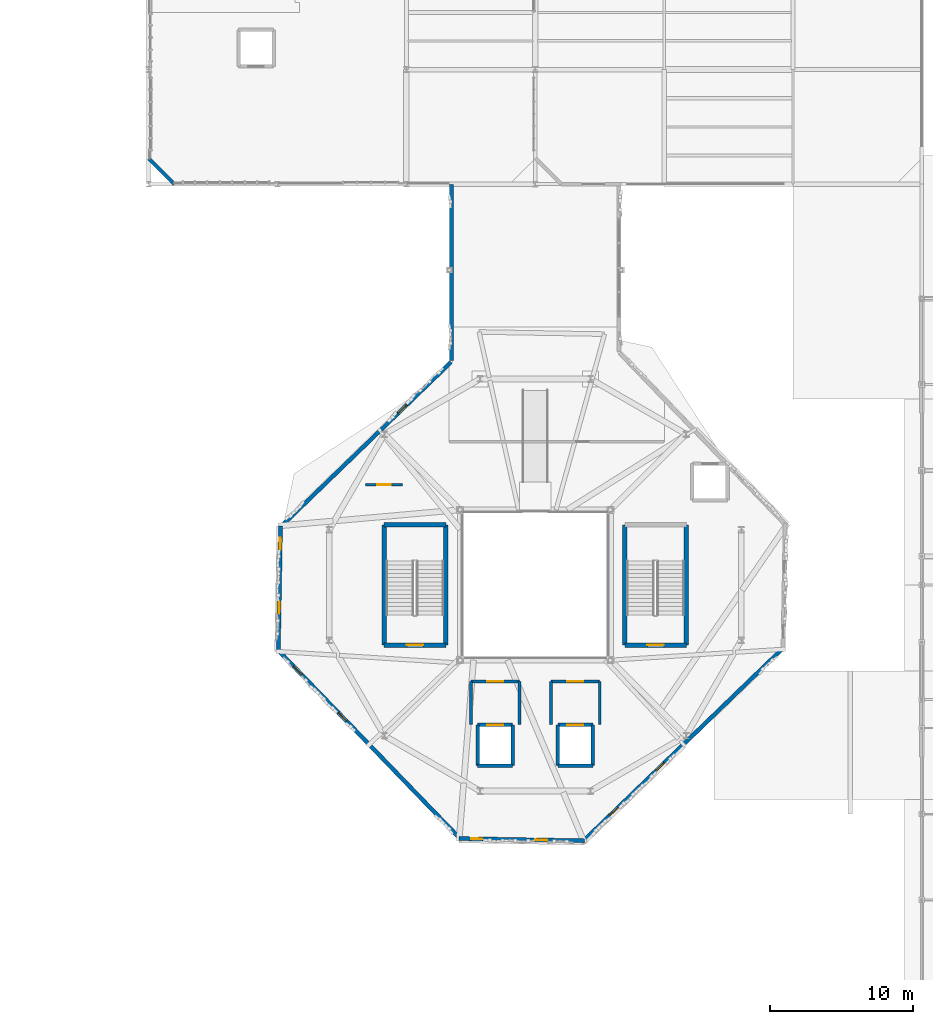
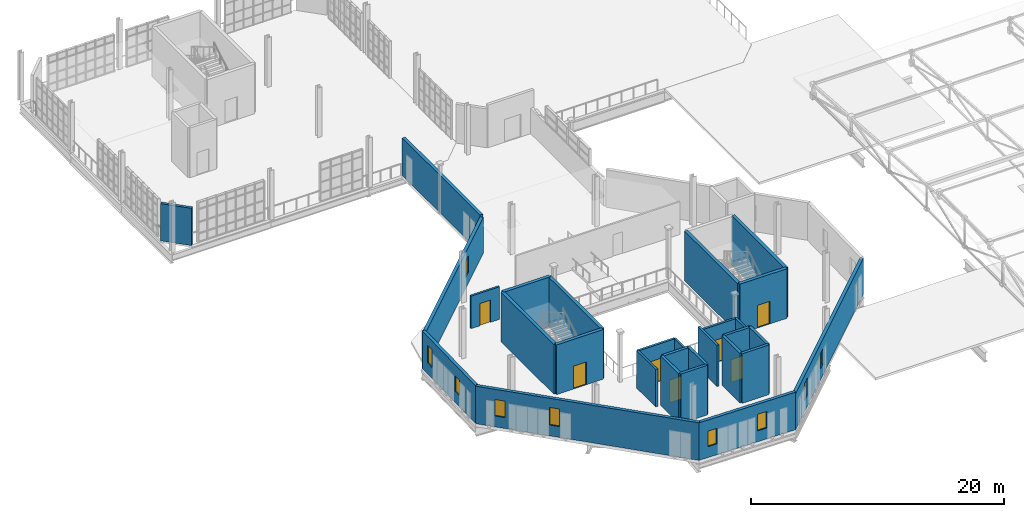
# One storey, part 75 of 85: 29 walls, 9 windows, 7 doors, 16 openings.
"""IFC4 building model written with IfcOpenShell, lengths in metres."""

import ifcopenshell
import ifcopenshell.guid

model = None  # the IFC model being written
_history = None  # IfcOwnerHistory: only IFC2X3 demands one
_inside = {}  # id of a spatial element -> (the spatial element, [elements in it])
_under = {}  # id of a project, library or spatial element -> (it, [spatial elements below it])
_declared = {}  # id of a project -> (the project, [libraries it declares])
_typed = {}  # id of a type object -> (the type object, [elements of that type])
_made_of = {}  # id of a material, layer set ... -> (it, [elements and type objects made of it])


def new_model(schema):
    """Start an empty IFC model of exactly this schema.

    Asked for "IFC4X3", IfcOpenShell would pick the latest addendum, in which some entities
    have other attributes; the version numbers below select the first issue.
    IFC2X3 requires an IfcOwnerHistory on every rooted entity: one is made here for all.
    """
    global model, _history
    if schema == "IFC4X3":
        model = ifcopenshell.file(schema_version=(4, 3, 0, 0))
    else:
        model = ifcopenshell.file(schema=schema)
    _inside.clear()
    _under.clear()
    _declared.clear()
    _typed.clear()
    _made_of.clear()
    _history = None
    if model.schema == "IFC2X3":
        org = make("IfcOrganization", Name="unknown")
        user = make(
            "IfcPersonAndOrganization",
            ThePerson=make("IfcPerson", FamilyName="unknown"),
            TheOrganization=org,
        )
        app = make(
            "IfcApplication",
            ApplicationDeveloper=org,
            Version="unknown",
            ApplicationFullName="unknown",
            ApplicationIdentifier="unknown",
        )
        _history = make(
            "IfcOwnerHistory",
            OwningUser=user,
            OwningApplication=app,
            ChangeAction="ADDED",
            CreationDate=0,
        )
    return model


def make(cls, **values):
    """One entity of the class cls with the attributes given. An attribute that is None is left unset."""
    return model.create_entity(
        cls, **{name: value for name, value in values.items() if value is not None}
    )


def rooted(cls, **values):
    """An entity with a GlobalId (a new one), such as an element, a storey or a relation."""
    return make(cls, GlobalId=ifcopenshell.guid.new(), OwnerHistory=_history, **values)


def si_unit(unit_type, name, prefix=None):
    """IfcSIUnit, for example si_unit("LENGTHUNIT", "METRE", prefix="MILLI")."""
    return make("IfcSIUnit", UnitType=unit_type, Prefix=prefix, Name=name)


def assignment(units):
    """IfcUnitAssignment: the units of a project."""
    return None if units is None else make("IfcUnitAssignment", Units=units)


def point(xyz):
    """IfcCartesianPoint."""
    return None if xyz is None else make("IfcCartesianPoint", Coordinates=xyz)


def direction(xyz):
    """IfcDirection."""
    return None if xyz is None else make("IfcDirection", DirectionRatios=xyz)


def frame(location, z_axis=None, x_axis=None):
    """IfcAxis2Placement3D, a coordinate frame: its origin and axes. An axis left out is left unset."""
    return make(
        "IfcAxis2Placement3D",
        Location=point(location),
        Axis=direction(z_axis),
        RefDirection=direction(x_axis),
    )


def frame_2d(location, x_axis=None):
    """IfcAxis2Placement2D, a coordinate frame in the plane: its origin and x axis."""
    return make(
        "IfcAxis2Placement2D", Location=point(location), RefDirection=direction(x_axis)
    )


def origin():
    """The frame at (0, 0, 0) with its axes left unset."""
    return frame((0.0, 0.0, 0.0))


def place(relative_to, where):
    """IfcLocalPlacement: puts the frame where relative to a parent placement (None: the world)."""
    return make(
        "IfcLocalPlacement", PlacementRelTo=relative_to, RelativePlacement=where
    )


def context(
    kind, dimensions, precision=None, world=None, true_north=None, identifier=None
):
    """IfcGeometricRepresentationContext, for example the 3D "Model" context."""
    return make(
        "IfcGeometricRepresentationContext",
        ContextIdentifier=identifier,
        ContextType=kind,
        CoordinateSpaceDimension=dimensions,
        Precision=precision,
        WorldCoordinateSystem=world,
        TrueNorth=true_north,
    )


def subcontext(parent, identifier, kind, view, scale=None):
    """IfcGeometricRepresentationSubContext, for example "Body" below "Model"."""
    return make(
        "IfcGeometricRepresentationSubContext",
        ContextIdentifier=identifier,
        ContextType=kind,
        ParentContext=parent,
        TargetScale=scale,
        TargetView=view,
    )


def project(units=None, contexts=None):
    """IfcProject with its units and contexts."""
    return rooted(
        "IfcProject",
        Name="project",
        RepresentationContexts=contexts,
        UnitsInContext=assignment(units),
    )


def spatial(cls, under=None, at=None, **own):
    """A site, building, storey or space (cls), placed at a placement, below another one or the project."""
    s = rooted(cls, ObjectPlacement=at, **own)
    if under is not None:
        _under.setdefault(under.id(), (under, []))[1].append(s)
    return s


def profile(cls, at=None, kind="AREA", **sizes):
    """A parametric profile (cls). Its sizes go by their IFC names, for example OverallWidth=200.0."""
    return make(cls, ProfileType=kind, Position=at, **sizes)


def rectangle(**sizes):
    """IfcRectangleProfileDef."""
    return profile("IfcRectangleProfileDef", **sizes)


def extrude(swept, where, along, depth):
    """IfcExtrudedAreaSolid: the profile swept, set in the frame where, extruded along a direction by depth."""
    return make(
        "IfcExtrudedAreaSolid",
        SweptArea=swept,
        Position=where,
        ExtrudedDirection=direction(along),
        Depth=depth,
    )


def shape(context_of_items, identifier, shape_type, items):
    """IfcShapeRepresentation: the items that make up one representation, for example the "Body"."""
    return make(
        "IfcShapeRepresentation",
        ContextOfItems=context_of_items,
        RepresentationIdentifier=identifier,
        RepresentationType=shape_type,
        Items=items,
    )


def material(Name=None, Category=None):
    """IfcMaterial."""
    return make("IfcMaterial", Name=Name, Category=Category)


def layer(
    of_material, thickness, ventilated=None, Name=None, Category=None, Priority=None
):
    """IfcMaterialLayer: one layer of a wall or slab, of a material (None: an air gap)."""
    return make(
        "IfcMaterialLayer",
        Material=of_material,
        LayerThickness=thickness,
        IsVentilated=ventilated,
        Name=Name,
        Category=Category,
        Priority=Priority,
    )


def layer_set(layers, Name=None):
    """IfcMaterialLayerSet."""
    return make("IfcMaterialLayerSet", MaterialLayers=layers, LayerSetName=Name)


def made_of(thing, what):
    """Note that an element or type object is made of a material, layer set ...; save() writes the relation."""
    if what is not None:
        _made_of.setdefault(what.id(), (what, []))[1].append(thing)
    return thing


def type_object(cls, material=None, **own):
    """A type object (cls), such as IfcWallType, which elements share."""
    return made_of(rooted(cls, **own), material)


def element(
    cls,
    number,
    at=None,
    inside=None,
    cuts=None,
    type_object=None,
    material=None,
    context=None,
    identifier="Body",
    shape_type=None,
    held_by="IfcProductDefinitionShape",
    body=None,
    shapes=None,
    **own,
):
    """One element of the class cls, such as IfcWall. Its Tag is "e" and its number.

    at: its placement. inside: the storey or other place that contains it. cuts: it is an
    opening in that element (IfcRelVoidsElement). A single representation is given by context,
    identifier, shape_type and body (its items); several are given by shapes. held_by: the class
    of the entity that holds the representations. save() writes the other relations.
    """
    e = rooted(cls, Tag="e%d" % number, ObjectPlacement=at, **own)
    if body is not None:
        shapes = [shape(context, identifier, shape_type, body)]
    if shapes is not None:
        e.Representation = make(held_by, Representations=shapes)
    if inside is not None:
        _inside.setdefault(inside.id(), (inside, []))[1].append(e)
    if cuts is not None:
        rooted(
            "IfcRelVoidsElement", RelatingBuildingElement=cuts, RelatedOpeningElement=e
        )
    if type_object is not None:
        _typed.setdefault(type_object.id(), (type_object, []))[1].append(e)
    return made_of(e, material)


def fill(opening, filler):
    """IfcRelFillsElement: the door or window that sits in an opening."""
    return rooted(
        "IfcRelFillsElement",
        RelatingOpeningElement=opening,
        RelatedBuildingElement=filler,
    )


def aggregate(whole, parts):
    """IfcRelAggregates: a whole, such as a stair, and the parts it consists of."""
    return rooted("IfcRelAggregates", RelatingObject=whole, RelatedObjects=parts)


def save(model, path):
    """Write the relations noted so far, then the file.

    IfcRelAggregates (storeys below a building ...), IfcRelContainedInSpatialStructure (elements
    in a storey), IfcRelDefinesByType, IfcRelAssociatesMaterial and IfcRelDeclares: one each for
    every whole, place, type object, material and project.
    """
    for whole, parts in _under.values():
        aggregate(whole, parts)
    for where, things in _inside.values():
        rooted(
            "IfcRelContainedInSpatialStructure",
            RelatedElements=things,
            RelatingStructure=where,
        )
    for kind, things in _typed.values():
        rooted("IfcRelDefinesByType", RelatedObjects=things, RelatingType=kind)
    for what, things in _made_of.values():
        rooted("IfcRelAssociatesMaterial", RelatedObjects=things, RelatingMaterial=what)
    for by, libraries in _declared.values():
        rooted("IfcRelDeclares", RelatingContext=by, RelatedDefinitions=libraries)
    model.write(path)


model = new_model("IFC4")

# Units and contexts
model_context = context("Model", 3, precision=1e-05, world=origin(), true_north=direction((0.0, 1.0)))
body_context = subcontext(model_context, "Body", "Model", "MODEL_VIEW")
ifc_project = project(units=[si_unit("LENGTHUNIT", "METRE"), si_unit("AREAUNIT", "SQUARE_METRE"), si_unit("VOLUMEUNIT", "CUBIC_METRE"), si_unit("PLANEANGLEUNIT", "RADIAN"), si_unit("MASSUNIT", "GRAM", prefix="KILO"), si_unit("THERMODYNAMICTEMPERATUREUNIT", "KELVIN"), si_unit("POWERUNIT", "WATT")], contexts=[model_context])

# Site, building, storey
site_placement = place(None, origin())
site = spatial("IfcSite", under=ifc_project, at=site_placement, CompositionType="ELEMENT")
building_placement = place(site_placement, origin())
building = spatial("IfcBuilding", under=site, at=building_placement, Name="Zelmaris Science Centre", CompositionType="ELEMENT")
storey_placement = place(building_placement, frame((0.0, 0.0, 20.39990234375)))
storey = spatial("IfcBuildingStorey", under=building, at=storey_placement, Name="L04", CompositionType="ELEMENT", Elevation=20.39990234375)

# Wall, opening, door
ifc_material_1 = material(Name="Concrete C40/50", Category="concrete")
ifc_layer_1 = layer(ifc_material_1, 0.300048828125, Name="Concrete C40/50")
ifc_layer_set_1 = layer_set([ifc_layer_1], Name="Concrete C40/50")
wall_type_1 = type_object("IfcWallType", Name="Core Shear Wall CW-S1 300mm", PredefinedType="SOLIDWALL", material=ifc_layer_set_1)
wall_1_placement = place(storey_placement, frame((74.75, 31.800048828125, 0.0), z_axis=(0.0, 0.0, 1.0), x_axis=(-1.0, 0.0, 0.0)))
wall_1 = element("IfcWall", 1, at=wall_1_placement, inside=storey, type_object=wall_type_1, Name="L04 ST-1 core shear wall near", PredefinedType="SOLIDWALL", context=body_context, shape_type="SweptSolid", body=[
    extrude(rectangle(XDim=4.300048828125, YDim=0.300048828125, at=frame_2d((2.14990234375, 0.0))), origin(), (0.0, 0.0, 1.0), 4.800048828125),
])
opening_1_placement = place(wall_1_placement, frame((1.574951171875, 0.0, 0.0)))
opening_1 = element("IfcOpeningElement", 2, at=opening_1_placement, cuts=wall_1, Name="Opening D-FD90", PredefinedType="OPENING", context=body_context, shape_type="SweptSolid", body=[
    extrude(rectangle(XDim=1.14990234375, YDim=2.199951171875, at=frame_2d((0.574951171875, 1.10009765625))), frame((0.0, 0.159912109375, 0.0), z_axis=(0.0, -1.0, 0.0), x_axis=(1.0, 0.0, 0.0)), (0.0, 0.0, 1.0), 0.320068359375),
])
ifc_material_2 = material(Name="Steel ASTM A36", Category="steel")
door_type_1 = type_object("IfcDoorType", Name="Interior Door D-FD90 1150x2200", OperationType="NOTDEFINED", PredefinedType="DOOR", material=ifc_material_2)
door_1_placement = place(opening_1_placement, origin())
door_1 = element("IfcDoor", 3, at=door_1_placement, inside=storey, type_object=door_type_1, Name="L04 ST-1 exit stair fire door", OperationType="SINGLE_SWING_RIGHT", OverallHeight=2.199951171875, OverallWidth=1.14990234375, PredefinedType="DOOR", context=body_context, shape_type="SweptSolid", body=[
    extrude(rectangle(XDim=1.14990234375, YDim=2.199951171875, at=frame_2d((0.574951171875, 1.10009765625))), frame((0.0, 0.02490234375, 0.0), z_axis=(0.0, -1.0, 0.0), x_axis=(1.0, 0.0, 0.0)), (0.0, 0.0, 1.0), 0.050048828125),
])
fill(opening_1, door_1)

# Walls
wall_2_placement = place(storey_placement, frame((74.75, 31.800048828125, 0.0), z_axis=(0.0, 0.0, 1.0), x_axis=(0.0, 1.0, 0.0)))
element("IfcWall", 4, at=wall_2_placement, inside=storey, type_object=wall_type_1, Name="L04 ST-1 core shear wall east", PredefinedType="SOLIDWALL", context=body_context, shape_type="SweptSolid", body=[
    extrude(rectangle(XDim=8.39990234375, YDim=0.300048828125, at=frame_2d((4.199951171875, 0.0))), origin(), (0.0, 0.0, 1.0), 4.800048828125),
])
wall_3_placement = place(storey_placement, frame((74.75, 40.199951171875, 0.0), z_axis=(0.0, 0.0, 1.0), x_axis=(-1.0, 0.0, 0.0)))
element("IfcWall", 5, at=wall_3_placement, inside=storey, type_object=wall_type_1, Name="L04 ST-1 core shear wall far", PredefinedType="SOLIDWALL", context=body_context, shape_type="SweptSolid", body=[
    extrude(rectangle(XDim=4.300048828125, YDim=0.300048828125, at=frame_2d((2.14990234375, 0.0))), origin(), (0.0, 0.0, 1.0), 4.800048828125),
])
wall_4_placement = place(storey_placement, frame((70.449951171875, 31.800048828125, 0.0), z_axis=(0.0, 0.0, 1.0), x_axis=(0.0, 1.0, 0.0)))
element("IfcWall", 6, at=wall_4_placement, inside=storey, type_object=wall_type_1, Name="L04 ST-1 core shear wall west", PredefinedType="SOLIDWALL", context=body_context, shape_type="SweptSolid", body=[
    extrude(rectangle(XDim=8.39990234375, YDim=0.300048828125, at=frame_2d((4.199951171875, 0.0))), origin(), (0.0, 0.0, 1.0), 4.800048828125),
])

# Wall, opening, door
wall_5_placement = place(storey_placement, frame((91.550048828125, 31.800048828125, 0.0), z_axis=(0.0, 0.0, 1.0), x_axis=(-1.0, 0.0, 0.0)))
wall_5 = element("IfcWall", 7, at=wall_5_placement, inside=storey, type_object=wall_type_1, Name="L04 ST-2 core shear wall near", PredefinedType="SOLIDWALL", context=body_context, shape_type="SweptSolid", body=[
    extrude(rectangle(XDim=4.300048828125, YDim=0.300048828125, at=frame_2d((2.14990234375, 0.0))), origin(), (0.0, 0.0, 1.0), 4.800048828125),
])
opening_2_placement = place(wall_5_placement, frame((1.574951171875, 0.0, 0.0)))
opening_2 = element("IfcOpeningElement", 8, at=opening_2_placement, cuts=wall_5, Name="Opening D-FD90", PredefinedType="OPENING", context=body_context, shape_type="SweptSolid", body=[
    extrude(rectangle(XDim=1.14990234375, YDim=2.199951171875, at=frame_2d((0.574951171875, 1.10009765625))), frame((0.0, 0.159912109375, 0.0), z_axis=(0.0, -1.0, 0.0), x_axis=(1.0, 0.0, 0.0)), (0.0, 0.0, 1.0), 0.320068359375),
])
door_2_placement = place(opening_2_placement, origin())
door_2 = element("IfcDoor", 9, at=door_2_placement, inside=storey, type_object=door_type_1, Name="L04 ST-2 exit stair fire door", OperationType="SINGLE_SWING_LEFT", OverallHeight=2.199951171875, OverallWidth=1.14990234375, PredefinedType="DOOR", context=body_context, shape_type="SweptSolid", body=[
    extrude(rectangle(XDim=1.14990234375, YDim=2.199951171875, at=frame_2d((0.574951171875, 1.10009765625))), frame((0.0, 0.02490234375, 0.0), z_axis=(0.0, -1.0, 0.0), x_axis=(1.0, 0.0, 0.0)), (0.0, 0.0, 1.0), 0.050048828125),
])
fill(opening_2, door_2)

# Walls
for number, where, z_axis, x_axis, name in (
    (10, (91.550048828125, 31.800048828125, 0.0), (0.0, 0.0, 1.0), (0.0, 1.0, 0.0), "L04 ST-2 core shear wall east"),
    (11, (87.25, 31.800048828125, 0.0), (0.0, 0.0, 1.0), (0.0, 1.0, 0.0), "L04 ST-2 core shear wall west"),
):
    element("IfcWall", number, at=place(storey_placement, frame(where, z_axis=z_axis, x_axis=x_axis)), inside=storey, type_object=wall_type_1, Name=name, PredefinedType="SOLIDWALL", context=body_context, shape_type="SweptSolid", body=[
        extrude(rectangle(XDim=8.39990234375, YDim=0.300048828125, at=frame_2d((4.199951171875, 0.0))), origin(), (0.0, 0.0, 1.0), 4.800048828125),
    ])
ifc_layer_2 = layer(ifc_material_1, 0.25, Name="Concrete C40/50")
ifc_layer_set_2 = layer_set([ifc_layer_2], Name="Concrete C40/50")
wall_type_2 = type_object("IfcWallType", Name="Core Shear Wall CW-S2 250mm", PredefinedType="SOLIDWALL", material=ifc_layer_set_2)
wall_6_placement = place(storey_placement, frame((76.97509765625, 23.375, 0.0), z_axis=(0.0, 0.0, 1.0), x_axis=(1.0, 0.0, 0.0)))
element("IfcWall", 12, at=wall_6_placement, inside=storey, type_object=wall_type_2, Name="L04 FL-01 lift shaft wall -y", PredefinedType="SOLIDWALL", context=body_context, shape_type="SweptSolid", body=[
    extrude(rectangle(XDim=2.449951171875, YDim=0.25, at=frame_2d((1.22509765625, 0.0))), origin(), (0.0, 0.0, 1.0), 4.800048828125),
])
wall_7_placement = place(storey_placement, frame((79.425048828125, 23.375, 0.0), z_axis=(0.0, 0.0, 1.0), x_axis=(0.0, 1.0, 0.0)))
element("IfcWall", 13, at=wall_7_placement, inside=storey, type_object=wall_type_2, Name="L04 FL-01 lift shaft wall +x", PredefinedType="SOLIDWALL", context=body_context, shape_type="SweptSolid", body=[
    extrude(rectangle(XDim=2.85009765625, YDim=0.25, at=frame_2d((1.425048828125, 0.0))), origin(), (0.0, 0.0, 1.0), 4.800048828125),
])

# Wall, opening, door
wall_8_placement = place(storey_placement, frame((79.425048828125, 26.22509765625, 0.0), z_axis=(0.0, 0.0, 1.0), x_axis=(-1.0, 0.0, 0.0)))
wall_8 = element("IfcWall", 14, at=wall_8_placement, inside=storey, type_object=wall_type_2, Name="L04 FL-01 lift shaft wall +y", PredefinedType="SOLIDWALL", context=body_context, shape_type="SweptSolid", body=[
    extrude(rectangle(XDim=2.449951171875, YDim=0.25, at=frame_2d((1.22509765625, 0.0))), origin(), (0.0, 0.0, 1.0), 4.800048828125),
])
opening_3_placement = place(wall_8_placement, frame((0.675048828125, 0.0, 0.0)))
opening_3 = element("IfcOpeningElement", 15, at=opening_3_placement, cuts=wall_8, Name="Opening LD-01", PredefinedType="OPENING", context=body_context, shape_type="SweptSolid", body=[
    extrude(rectangle(XDim=1.10009765625, YDim=2.199951171875, at=frame_2d((0.550048828125, 1.10009765625))), frame((0.0, 0.135009765625, 0.0), z_axis=(0.0, -1.0, 0.0), x_axis=(1.0, 0.0, 0.0)), (0.0, 0.0, 1.0), 0.27001953125),
])
door_type_2 = type_object("IfcDoorType", Name="Interior Door LD-01 1100x2200", OperationType="SLIDING_TO_LEFT", PredefinedType="DOOR", material=ifc_material_2)
door_3_placement = place(opening_3_placement, origin())
door_3 = element("IfcDoor", 16, at=door_3_placement, inside=storey, type_object=door_type_2, Name="Landing door LD-FL-01-L04", OperationType="SLIDING_TO_LEFT", OverallHeight=2.199951171875, OverallWidth=1.10009765625, PredefinedType="DOOR", context=body_context, shape_type="SweptSolid", body=[
    extrude(rectangle(XDim=1.10009765625, YDim=2.199951171875, at=frame_2d((0.550048828125, 1.10009765625))), frame((0.0, 0.02490234375, 0.0), z_axis=(0.0, -1.0, 0.0), x_axis=(1.0, 0.0, 0.0)), (0.0, 0.0, 1.0), 0.050048828125),
])
fill(opening_3, door_3)

# Walls
wall_9_placement = place(storey_placement, frame((76.97509765625, 26.22509765625, 0.0), z_axis=(0.0, 0.0, 1.0), x_axis=(0.0, -1.0, 0.0)))
element("IfcWall", 17, at=wall_9_placement, inside=storey, type_object=wall_type_2, Name="L04 FL-01 lift shaft wall -x", PredefinedType="SOLIDWALL", context=body_context, shape_type="SweptSolid", body=[
    extrude(rectangle(XDim=2.85009765625, YDim=0.25, at=frame_2d((1.425048828125, 0.0))), origin(), (0.0, 0.0, 1.0), 4.800048828125),
])
wall_10_placement = place(storey_placement, frame((82.574951171875, 23.375, 0.0), z_axis=(0.0, 0.0, 1.0), x_axis=(1.0, 0.0, 0.0)))
element("IfcWall", 18, at=wall_10_placement, inside=storey, type_object=wall_type_2, Name="L04 FL-02 lift shaft wall -y", PredefinedType="SOLIDWALL", context=body_context, shape_type="SweptSolid", body=[
    extrude(rectangle(XDim=2.449951171875, YDim=0.25, at=frame_2d((1.22509765625, 0.0))), origin(), (0.0, 0.0, 1.0), 4.800048828125),
])
wall_11_placement = place(storey_placement, frame((85.02490234375, 23.375, 0.0), z_axis=(0.0, 0.0, 1.0), x_axis=(0.0, 1.0, 0.0)))
element("IfcWall", 19, at=wall_11_placement, inside=storey, type_object=wall_type_2, Name="L04 FL-02 lift shaft wall +x", PredefinedType="SOLIDWALL", context=body_context, shape_type="SweptSolid", body=[
    extrude(rectangle(XDim=2.85009765625, YDim=0.25, at=frame_2d((1.425048828125, 0.0))), origin(), (0.0, 0.0, 1.0), 4.800048828125),
])

# Wall, opening, door
wall_12_placement = place(storey_placement, frame((85.02490234375, 26.22509765625, 0.0), z_axis=(0.0, 0.0, 1.0), x_axis=(-1.0, 0.0, 0.0)))
wall_12 = element("IfcWall", 20, at=wall_12_placement, inside=storey, type_object=wall_type_2, Name="L04 FL-02 lift shaft wall +y", PredefinedType="SOLIDWALL", context=body_context, shape_type="SweptSolid", body=[
    extrude(rectangle(XDim=2.449951171875, YDim=0.25, at=frame_2d((1.22509765625, 0.0))), origin(), (0.0, 0.0, 1.0), 4.800048828125),
])
opening_4_placement = place(wall_12_placement, frame((0.675048828125, 0.0, 0.0)))
opening_4 = element("IfcOpeningElement", 21, at=opening_4_placement, cuts=wall_12, Name="Opening LD-01", PredefinedType="OPENING", context=body_context, shape_type="SweptSolid", body=[
    extrude(rectangle(XDim=1.10009765625, YDim=2.199951171875, at=frame_2d((0.550048828125, 1.10009765625))), frame((0.0, 0.135009765625, 0.0), z_axis=(0.0, -1.0, 0.0), x_axis=(1.0, 0.0, 0.0)), (0.0, 0.0, 1.0), 0.27001953125),
])
door_4_placement = place(opening_4_placement, origin())
door_4 = element("IfcDoor", 22, at=door_4_placement, inside=storey, type_object=door_type_2, Name="Landing door LD-FL-02-L04", OperationType="SLIDING_TO_LEFT", OverallHeight=2.199951171875, OverallWidth=1.10009765625, PredefinedType="DOOR", context=body_context, shape_type="SweptSolid", body=[
    extrude(rectangle(XDim=1.10009765625, YDim=2.199951171875, at=frame_2d((0.550048828125, 1.10009765625))), frame((0.0, 0.02490234375, 0.0), z_axis=(0.0, -1.0, 0.0), x_axis=(1.0, 0.0, 0.0)), (0.0, 0.0, 1.0), 0.050048828125),
])
fill(opening_4, door_4)

# Wall
wall_13_placement = place(storey_placement, frame((82.574951171875, 26.22509765625, 0.0), z_axis=(0.0, 0.0, 1.0), x_axis=(0.0, -1.0, 0.0)))
element("IfcWall", 23, at=wall_13_placement, inside=storey, type_object=wall_type_2, Name="L04 FL-02 lift shaft wall -x", PredefinedType="SOLIDWALL", context=body_context, shape_type="SweptSolid", body=[
    extrude(rectangle(XDim=2.85009765625, YDim=0.25, at=frame_2d((1.425048828125, 0.0))), origin(), (0.0, 0.0, 1.0), 4.800048828125),
])

# Wall, openings, windows
ifc_material_3 = material(Name="Precast concrete C40/50", Category="concrete")
ifc_layer_3 = layer(ifc_material_3, 0.280029296875, Name="Precast concrete C40/50")
ifc_layer_set_3 = layer_set([ifc_layer_3], Name="Precast concrete C40/50")
wall_type_3 = type_object("IfcWallType", Name="Exterior Wall EW-05 280mm", PredefinedType="SOLIDWALL", material=ifc_layer_set_3)
wall_14_placement = place(storey_placement, frame((98.357421875, 31.6337890625, 0.0), z_axis=(0.0, 0.0, 1.0), x_axis=(-0.719349899293, -0.694647912533, 0.0)))
wall_14 = element("IfcWall", 24, at=wall_14_placement, inside=storey, type_object=wall_type_3, Name="L04 Exterior wall 145", PredefinedType="SOLIDWALL", context=body_context, shape_type="SweptSolid", body=[
    extrude(rectangle(XDim=19.5, YDim=0.280029296875, at=frame_2d((9.75, 0.0))), origin(), (0.0, 0.0, 1.0), 3.484130859375),
])
opening_5_placement = place(wall_14_placement, frame((11.60009765625, 0.0, 1.050048828125)))
opening_5 = element("IfcOpeningElement", 25, at=opening_5_placement, cuts=wall_14, Name="Opening W-TR1", PredefinedType="OPENING", context=body_context, shape_type="SweptSolid", body=[
    extrude(rectangle(XDim=0.800048828125, YDim=1.5, at=frame_2d((0.39990234375, 0.75))), frame((0.0, 0.14990234375, 0.0), z_axis=(0.0, -1.0, 0.0), x_axis=(1.0, 0.0, 0.0)), (0.0, 0.0, 1.0), 0.300048828125),
])
opening_6_placement = place(wall_14_placement, frame((16.10009765625, 0.0, 1.050048828125)))
opening_6 = element("IfcOpeningElement", 26, at=opening_6_placement, cuts=wall_14, Name="Opening W-TR2", PredefinedType="OPENING", context=body_context, shape_type="SweptSolid", body=[
    extrude(rectangle(XDim=0.800048828125, YDim=1.699951171875, at=frame_2d((0.39990234375, 0.85009765625))), frame((0.0, 0.14990234375, 0.0), z_axis=(0.0, -1.0, 0.0), x_axis=(1.0, 0.0, 0.0)), (0.0, 0.0, 1.0), 0.300048828125),
])
ifc_material_4 = material(Name="Laminated hurricane-rated low-E insulated glazing", Category="glass")
window_type_1 = type_object("IfcWindowType", Name="Window W-TR1 800x1500", PartitioningType="SINGLE_PANEL", PredefinedType="WINDOW", material=ifc_material_4)
window_1_placement = place(opening_5_placement, origin())
window_1 = element("IfcWindow", 27, at=window_1_placement, inside=storey, type_object=window_type_1, Name="L04 Triangular faceted window 97", OverallHeight=1.5, OverallWidth=0.800048828125, PartitioningType="SINGLE_PANEL", PredefinedType="WINDOW", context=body_context, shape_type="SweptSolid", body=[
    extrude(rectangle(XDim=0.800048828125, YDim=1.5, at=frame_2d((0.39990234375, 0.75))), frame((0.0, 0.030029296875, 0.0), z_axis=(0.0, -1.0, 0.0), x_axis=(1.0, 0.0, 0.0)), (0.0, 0.0, 1.0), 0.06005859375),
])
fill(opening_5, window_1)
window_type_2 = type_object("IfcWindowType", Name="Window W-TR2 800x1700", PartitioningType="SINGLE_PANEL", PredefinedType="WINDOW", material=ifc_material_4)
window_2_placement = place(opening_6_placement, origin())
window_2 = element("IfcWindow", 28, at=window_2_placement, inside=storey, type_object=window_type_2, Name="L04 Triangular faceted window 98", OverallHeight=1.699951171875, OverallWidth=0.800048828125, PartitioningType="SINGLE_PANEL", PredefinedType="WINDOW", context=body_context, shape_type="SweptSolid", body=[
    extrude(rectangle(XDim=0.800048828125, YDim=1.699951171875, at=frame_2d((0.39990234375, 0.85009765625))), frame((0.0, 0.030029296875, 0.0), z_axis=(0.0, -1.0, 0.0), x_axis=(1.0, 0.0, 0.0)), (0.0, 0.0, 1.0), 0.06005859375),
])
fill(opening_6, window_2)

wall_15_placement = place(storey_placement, frame((84.444091796875, 18.1328125, 0.0), z_axis=(0.0, 0.0, 1.0), x_axis=(-0.999847586528, 0.017458628627, 0.0)))
wall_15 = element("IfcWall", 29, at=wall_15_placement, inside=storey, type_object=wall_type_3, Name="L04 Exterior wall 146", PredefinedType="SOLIDWALL", context=body_context, shape_type="SweptSolid", body=[
    extrude(rectangle(XDim=8.767822265625, YDim=0.280029296875, at=frame_2d((4.3837890625, 0.0))), origin(), (0.0, 0.0, 1.0), 3.629150390625),
])
opening_7_placement = place(wall_15_placement, frame((2.60888671875, 0.0, 1.050048828125)))
opening_7 = element("IfcOpeningElement", 30, at=opening_7_placement, cuts=wall_15, Name="Opening W-TR3", PredefinedType="OPENING", context=body_context, shape_type="SweptSolid", body=[
    extrude(rectangle(XDim=0.85009765625, YDim=1.60009765625, at=frame_2d((0.425048828125, 0.800048828125))), frame((0.0, 0.14990234375, 0.0), z_axis=(0.0, -1.0, 0.0), x_axis=(1.0, 0.0, 0.0)), (0.0, 0.0, 1.0), 0.300048828125),
])
opening_8_placement = place(wall_15_placement, frame((7.134033203125, 0.0, 1.050048828125)))
opening_8 = element("IfcOpeningElement", 31, at=opening_8_placement, cuts=wall_15, Name="Opening W-TR1", PredefinedType="OPENING", context=body_context, shape_type="SweptSolid", body=[
    extrude(rectangle(XDim=0.800048828125, YDim=1.5, at=frame_2d((0.39990234375, 0.75))), frame((0.0, 0.14990234375, 0.0), z_axis=(0.0, -1.0, 0.0), x_axis=(1.0, 0.0, 0.0)), (0.0, 0.0, 1.0), 0.300048828125),
])
window_3_placement = place(opening_8_placement, origin())
window_3 = element("IfcWindow", 32, at=window_3_placement, inside=storey, type_object=window_type_1, Name="L04 Triangular faceted window 100", OverallHeight=1.5, OverallWidth=0.800048828125, PartitioningType="SINGLE_PANEL", PredefinedType="WINDOW", context=body_context, shape_type="SweptSolid", body=[
    extrude(rectangle(XDim=0.800048828125, YDim=1.5, at=frame_2d((0.39990234375, 0.75))), frame((0.0, 0.030029296875, 0.0), z_axis=(0.0, -1.0, 0.0), x_axis=(1.0, 0.0, 0.0)), (0.0, 0.0, 1.0), 0.06005859375),
])
fill(opening_8, window_3)
window_type_3 = type_object("IfcWindowType", Name="Window W-TR3 850x1600", PartitioningType="SINGLE_PANEL", PredefinedType="WINDOW", material=ifc_material_4)
window_4_placement = place(opening_7_placement, origin())
window_4 = element("IfcWindow", 33, at=window_4_placement, inside=storey, type_object=window_type_3, Name="L04 Triangular faceted window 99", OverallHeight=1.60009765625, OverallWidth=0.85009765625, PartitioningType="SINGLE_PANEL", PredefinedType="WINDOW", context=body_context, shape_type="SweptSolid", body=[
    extrude(rectangle(XDim=0.85009765625, YDim=1.60009765625, at=frame_2d((0.425048828125, 0.800048828125))), frame((0.0, 0.030029296875, 0.0), z_axis=(0.0, -1.0, 0.0), x_axis=(1.0, 0.0, 0.0)), (0.0, 0.0, 1.0), 0.06005859375),
])
fill(opening_7, window_4)

wall_16_placement = place(storey_placement, frame((75.789794921875, 18.2373046875, 0.0), z_axis=(0.0, 0.0, 1.0), x_axis=(-0.694666022077, 0.719332411179, 0.0)))
wall_16 = element("IfcWall", 34, at=wall_16_placement, inside=storey, type_object=wall_type_3, Name="L04 Exterior wall 147", PredefinedType="SOLIDWALL", context=body_context, shape_type="SweptSolid", body=[
    extrude(rectangle(XDim=18.39990234375, YDim=0.280029296875, at=frame_2d((9.199951171875, 0.0))), origin(), (0.0, 0.0, 1.0), 3.634033203125),
])
opening_9_placement = place(wall_16_placement, frame((11.5, 0.0, 1.050048828125)))
opening_9 = element("IfcOpeningElement", 35, at=opening_9_placement, cuts=wall_16, Name="Opening W-TR2", PredefinedType="OPENING", context=body_context, shape_type="SweptSolid", body=[
    extrude(rectangle(XDim=0.800048828125, YDim=1.699951171875, at=frame_2d((0.39990234375, 0.85009765625))), frame((0.0, 0.14990234375, 0.0), z_axis=(0.0, -1.0, 0.0), x_axis=(1.0, 0.0, 0.0)), (0.0, 0.0, 1.0), 0.300048828125),
])
opening_10_placement = place(wall_16_placement, frame((15.974853515625, 0.0, 1.050048828125)))
opening_10 = element("IfcOpeningElement", 36, at=opening_10_placement, cuts=wall_16, Name="Opening W-TR3", PredefinedType="OPENING", context=body_context, shape_type="SweptSolid", body=[
    extrude(rectangle(XDim=0.85009765625, YDim=1.60009765625, at=frame_2d((0.425048828125, 0.800048828125))), frame((0.0, 0.14990234375, 0.0), z_axis=(0.0, -1.0, 0.0), x_axis=(1.0, 0.0, 0.0)), (0.0, 0.0, 1.0), 0.300048828125),
])
window_5_placement = place(opening_9_placement, origin())
window_5 = element("IfcWindow", 37, at=window_5_placement, inside=storey, type_object=window_type_2, Name="L04 Triangular faceted window 101", OverallHeight=1.699951171875, OverallWidth=0.800048828125, PartitioningType="SINGLE_PANEL", PredefinedType="WINDOW", context=body_context, shape_type="SweptSolid", body=[
    extrude(rectangle(XDim=0.800048828125, YDim=1.699951171875, at=frame_2d((0.39990234375, 0.85009765625))), frame((0.0, 0.030029296875, 0.0), z_axis=(0.0, -1.0, 0.0), x_axis=(1.0, 0.0, 0.0)), (0.0, 0.0, 1.0), 0.06005859375),
])
fill(opening_9, window_5)
window_6_placement = place(opening_10_placement, origin())
window_6 = element("IfcWindow", 38, at=window_6_placement, inside=storey, type_object=window_type_3, Name="L04 Triangular faceted window 102", OverallHeight=1.60009765625, OverallWidth=0.85009765625, PartitioningType="SINGLE_PANEL", PredefinedType="WINDOW", context=body_context, shape_type="SweptSolid", body=[
    extrude(rectangle(XDim=0.85009765625, YDim=1.60009765625, at=frame_2d((0.425048828125, 0.800048828125))), frame((0.0, 0.030029296875, 0.0), z_axis=(0.0, -1.0, 0.0), x_axis=(1.0, 0.0, 0.0)), (0.0, 0.0, 1.0), 0.06005859375),
])
fill(opening_10, window_6)

wall_17_placement = place(storey_placement, frame((63.052978515625, 31.35888671875, 0.0), z_axis=(0.0, 0.0, 1.0), x_axis=(0.017430307123, 0.999848080657, 0.0)))
wall_17 = element("IfcWall", 39, at=wall_17_placement, inside=storey, type_object=wall_type_3, Name="L04 Exterior wall 148", PredefinedType="SOLIDWALL", context=body_context, shape_type="SweptSolid", body=[
    extrude(rectangle(XDim=8.76806640625, YDim=0.280029296875, at=frame_2d((4.384033203125, 0.0))), origin(), (0.0, 0.0, 1.0), 3.6240234375),
])
opening_11_placement = place(wall_17_placement, frame((2.634033203125, 0.0, 1.050048828125)))
opening_11 = element("IfcOpeningElement", 40, at=opening_11_placement, cuts=wall_17, Name="Opening W-TR1", PredefinedType="OPENING", context=body_context, shape_type="SweptSolid", body=[
    extrude(rectangle(XDim=0.800048828125, YDim=1.5, at=frame_2d((0.39990234375, 0.75))), frame((0.0, 0.14990234375, 0.0), z_axis=(0.0, -1.0, 0.0), x_axis=(1.0, 0.0, 0.0)), (0.0, 0.0, 1.0), 0.300048828125),
])
opening_12_placement = place(wall_17_placement, frame((7.134033203125, 0.0, 1.050048828125)))
opening_12 = element("IfcOpeningElement", 41, at=opening_12_placement, cuts=wall_17, Name="Opening W-TR2", PredefinedType="OPENING", context=body_context, shape_type="SweptSolid", body=[
    extrude(rectangle(XDim=0.800048828125, YDim=1.699951171875, at=frame_2d((0.39990234375, 0.85009765625))), frame((0.0, 0.14990234375, 0.0), z_axis=(0.0, -1.0, 0.0), x_axis=(1.0, 0.0, 0.0)), (0.0, 0.0, 1.0), 0.300048828125),
])
window_7_placement = place(opening_11_placement, origin())
window_7 = element("IfcWindow", 42, at=window_7_placement, inside=storey, type_object=window_type_1, Name="L04 Triangular faceted window 103", OverallHeight=1.5, OverallWidth=0.800048828125, PartitioningType="SINGLE_PANEL", PredefinedType="WINDOW", context=body_context, shape_type="SweptSolid", body=[
    extrude(rectangle(XDim=0.800048828125, YDim=1.5, at=frame_2d((0.39990234375, 0.75))), frame((0.0, 0.030029296875, 0.0), z_axis=(0.0, -1.0, 0.0), x_axis=(1.0, 0.0, 0.0)), (0.0, 0.0, 1.0), 0.06005859375),
])
fill(opening_11, window_7)
window_8_placement = place(opening_12_placement, origin())
window_8 = element("IfcWindow", 43, at=window_8_placement, inside=storey, type_object=window_type_2, Name="L04 Triangular faceted window 104", OverallHeight=1.699951171875, OverallWidth=0.800048828125, PartitioningType="SINGLE_PANEL", PredefinedType="WINDOW", context=body_context, shape_type="SweptSolid", body=[
    extrude(rectangle(XDim=0.800048828125, YDim=1.699951171875, at=frame_2d((0.39990234375, 0.85009765625))), frame((0.0, 0.030029296875, 0.0), z_axis=(0.0, -1.0, 0.0), x_axis=(1.0, 0.0, 0.0)), (0.0, 0.0, 1.0), 0.06005859375),
])
fill(opening_12, window_8)

# Wall, opening, window
wall_18_placement = place(storey_placement, frame((63.156982421875, 40.013427734375, 0.0), z_axis=(0.0, 0.0, 1.0), x_axis=(0.719146215945, 0.694858777085, 0.0)))
wall_18 = element("IfcWall", 44, at=wall_18_placement, inside=storey, type_object=wall_type_3, Name="L04 Exterior wall 149", PredefinedType="SOLIDWALL", context=body_context, shape_type="SweptSolid", body=[
    extrude(rectangle(XDim=16.6162109375, YDim=0.280029296875, at=frame_2d((8.30810546875, 0.0))), origin(), (0.0, 0.0, 1.0), 3.484130859375),
])
opening_13_placement = place(wall_18_placement, frame((11.48291015625, 0.0, 1.050048828125)))
opening_13 = element("IfcOpeningElement", 45, at=opening_13_placement, cuts=wall_18, Name="Opening W-TR3", PredefinedType="OPENING", context=body_context, shape_type="SweptSolid", body=[
    extrude(rectangle(XDim=0.85009765625, YDim=1.60009765625, at=frame_2d((0.425048828125, 0.800048828125))), frame((0.0, 0.14990234375, 0.0), z_axis=(0.0, -1.0, 0.0), x_axis=(1.0, 0.0, 0.0)), (0.0, 0.0, 1.0), 0.300048828125),
])
window_9_placement = place(opening_13_placement, origin())
window_9 = element("IfcWindow", 46, at=window_9_placement, inside=storey, type_object=window_type_3, Name="L04 Triangular faceted window 105", OverallHeight=1.60009765625, OverallWidth=0.85009765625, PartitioningType="SINGLE_PANEL", PredefinedType="WINDOW", context=body_context, shape_type="SweptSolid", body=[
    extrude(rectangle(XDim=0.85009765625, YDim=1.60009765625, at=frame_2d((0.425048828125, 0.800048828125))), frame((0.0, 0.030029296875, 0.0), z_axis=(0.0, -1.0, 0.0), x_axis=(1.0, 0.0, 0.0)), (0.0, 0.0, 1.0), 0.06005859375),
])
fill(opening_13, window_9)

# Walls
wall_19_placement = place(storey_placement, frame((75.1552734375, 51.674560546875, 0.0), z_axis=(0.0, 0.0, 1.0), x_axis=(-0.000436715855, 0.99999990464, 0.0)))
element("IfcWall", 47, at=wall_19_placement, inside=storey, type_object=wall_type_3, Name="L04 Exterior wall 150", PredefinedType="SOLIDWALL", context=body_context, shape_type="SweptSolid", body=[
    extrude(rectangle(XDim=12.298828125, YDim=0.280029296875, at=frame_2d((6.1494140625, 0.0))), origin(), (0.0, 0.0, 1.0), 3.6259765625),
])
ifc_layer_4 = layer(ifc_material_3, 0.239990234375, Name="Precast concrete C40/50")
ifc_layer_set_4 = layer_set([ifc_layer_4], Name="Precast concrete C40/50")
wall_type_4 = type_object("IfcWallType", Name="Exterior Wall EW-07 240mm", PredefinedType="SOLIDWALL", material=ifc_layer_set_4)
wall_20_placement = place(storey_placement, frame((55.800048828125, 64.0, 0.0), z_axis=(0.0, 0.0, 1.0), x_axis=(-0.707106781187, 0.707106781187, 0.0)))
element("IfcWall", 48, at=wall_20_placement, inside=storey, type_object=wall_type_4, Name="L04 Exterior wall 151", PredefinedType="SOLIDWALL", context=body_context, shape_type="SweptSolid", body=[
    extrude(rectangle(XDim=2.545654296875, YDim=0.239990234375, at=frame_2d((1.27294921875, 0.0))), origin(), (0.0, 0.0, 1.0), 3.60302734375),
])
ifc_material_5 = material(Name="Autoclaved aerated concrete blockwork", Category="masonry")
ifc_layer_5 = layer(ifc_material_5, 0.199951171875, Name="Autoclaved aerated concrete blockwork")
ifc_layer_set_5 = layer_set([ifc_layer_5], Name="Autoclaved aerated concrete blockwork")
wall_type_5 = type_object("IfcWallType", Name="Interior Wall FW-01 200mm", PredefinedType="SOLIDWALL", material=ifc_layer_set_5)
wall_21_placement = place(storey_placement, frame((76.5, 26.25, 0.0), z_axis=(0.0, 0.0, 1.0), x_axis=(0.0, 1.0, 0.0)))
element("IfcWall", 49, at=wall_21_placement, inside=storey, type_object=wall_type_5, Name="L04 Firefighting Lobby FL-01 wall W", PredefinedType="SOLIDWALL", context=body_context, shape_type="SweptSolid", body=[
    extrude(rectangle(XDim=3.0, YDim=0.199951171875, at=frame_2d((1.5, 0.0))), origin(), (0.0, 0.0, 1.0), 3.6259765625),
])
wall_22_placement = place(storey_placement, frame((79.89990234375, 26.25, 0.0), z_axis=(0.0, 0.0, 1.0), x_axis=(0.0, 1.0, 0.0)))
element("IfcWall", 50, at=wall_22_placement, inside=storey, type_object=wall_type_5, Name="L04 Firefighting Lobby FL-01 wall E", PredefinedType="SOLIDWALL", context=body_context, shape_type="SweptSolid", body=[
    extrude(rectangle(XDim=3.0, YDim=0.199951171875, at=frame_2d((1.5, 0.0))), origin(), (0.0, 0.0, 1.0), 3.629150390625),
])

# Wall, opening, door
wall_23_placement = place(storey_placement, frame((76.5, 29.25, 0.0), z_axis=(0.0, 0.0, 1.0), x_axis=(1.0, 0.0, 0.0)))
wall_23 = element("IfcWall", 51, at=wall_23_placement, inside=storey, type_object=wall_type_5, Name="L04 Firefighting Lobby FL-01 wall N", PredefinedType="SOLIDWALL", context=body_context, shape_type="SweptSolid", body=[
    extrude(rectangle(XDim=3.39990234375, YDim=0.199951171875, at=frame_2d((1.699951171875, 0.0))), origin(), (0.0, 0.0, 1.0), 3.6259765625),
])
opening_14_placement = place(wall_23_placement, frame((1.14990234375, 0.0, 0.0)))
opening_14 = element("IfcOpeningElement", 52, at=opening_14_placement, cuts=wall_23, Name="Opening D-FD60", PredefinedType="OPENING", context=body_context, shape_type="SweptSolid", body=[
    extrude(rectangle(XDim=1.10009765625, YDim=2.199951171875, at=frame_2d((0.550048828125, 1.10009765625))), frame((0.0, 0.10986328125, 0.0), z_axis=(0.0, -1.0, 0.0), x_axis=(1.0, 0.0, 0.0)), (0.0, 0.0, 1.0), 0.219970703125),
])
door_type_3 = type_object("IfcDoorType", Name="Interior Door D-FD60 1100x2200", OperationType="NOTDEFINED", PredefinedType="DOOR", material=ifc_material_2)
door_5_placement = place(opening_14_placement, origin())
door_5 = element("IfcDoor", 53, at=door_5_placement, inside=storey, type_object=door_type_3, Name="L04 Firefighting Lobby FL-01 fire door", OperationType="SINGLE_SWING_RIGHT", OverallHeight=2.199951171875, OverallWidth=1.10009765625, PredefinedType="DOOR", context=body_context, shape_type="SweptSolid", body=[
    extrude(rectangle(XDim=1.10009765625, YDim=2.199951171875, at=frame_2d((0.550048828125, 1.10009765625))), frame((0.0, 0.02490234375, 0.0), z_axis=(0.0, -1.0, 0.0), x_axis=(1.0, 0.0, 0.0)), (0.0, 0.0, 1.0), 0.050048828125),
])
fill(opening_14, door_5)

# Walls
wall_24_placement = place(storey_placement, frame((82.10009765625, 26.25, 0.0), z_axis=(0.0, 0.0, 1.0), x_axis=(0.0, 1.0, 0.0)))
element("IfcWall", 54, at=wall_24_placement, inside=storey, type_object=wall_type_5, Name="L04 Firefighting Lobby FL-02 wall W", PredefinedType="SOLIDWALL", context=body_context, shape_type="SweptSolid", body=[
    extrude(rectangle(XDim=3.0, YDim=0.199951171875, at=frame_2d((1.5, 0.0))), origin(), (0.0, 0.0, 1.0), 4.0),
])
wall_25_placement = place(storey_placement, frame((85.5, 26.25, 0.0), z_axis=(0.0, 0.0, 1.0), x_axis=(0.0, 1.0, 0.0)))
element("IfcWall", 55, at=wall_25_placement, inside=storey, type_object=wall_type_5, Name="L04 Firefighting Lobby FL-02 wall E", PredefinedType="SOLIDWALL", context=body_context, shape_type="SweptSolid", body=[
    extrude(rectangle(XDim=3.0, YDim=0.199951171875, at=frame_2d((1.5, 0.0))), origin(), (0.0, 0.0, 1.0), 3.6240234375),
])

# Wall, opening, door
wall_26_placement = place(storey_placement, frame((82.10009765625, 29.25, 0.0), z_axis=(0.0, 0.0, 1.0), x_axis=(1.0, 0.0, 0.0)))
wall_26 = element("IfcWall", 56, at=wall_26_placement, inside=storey, type_object=wall_type_5, Name="L04 Firefighting Lobby FL-02 wall N", PredefinedType="SOLIDWALL", context=body_context, shape_type="SweptSolid", body=[
    extrude(rectangle(XDim=3.39990234375, YDim=0.199951171875, at=frame_2d((1.699951171875, 0.0))), origin(), (0.0, 0.0, 1.0), 3.6240234375),
])
opening_15_placement = place(wall_26_placement, frame((1.14990234375, 0.0, 0.0)))
opening_15 = element("IfcOpeningElement", 57, at=opening_15_placement, cuts=wall_26, Name="Opening D-FD60", PredefinedType="OPENING", context=body_context, shape_type="SweptSolid", body=[
    extrude(rectangle(XDim=1.10009765625, YDim=2.199951171875, at=frame_2d((0.550048828125, 1.10009765625))), frame((0.0, 0.10986328125, 0.0), z_axis=(0.0, -1.0, 0.0), x_axis=(1.0, 0.0, 0.0)), (0.0, 0.0, 1.0), 0.219970703125),
])
door_6_placement = place(opening_15_placement, origin())
door_6 = element("IfcDoor", 58, at=door_6_placement, inside=storey, type_object=door_type_3, Name="L04 Firefighting Lobby FL-02 fire door", OperationType="SINGLE_SWING_LEFT", OverallHeight=2.199951171875, OverallWidth=1.10009765625, PredefinedType="DOOR", context=body_context, shape_type="SweptSolid", body=[
    extrude(rectangle(XDim=1.10009765625, YDim=2.199951171875, at=frame_2d((0.550048828125, 1.10009765625))), frame((0.0, 0.02490234375, 0.0), z_axis=(0.0, -1.0, 0.0), x_axis=(1.0, 0.0, 0.0)), (0.0, 0.0, 1.0), 0.050048828125),
])
fill(opening_15, door_6)

ifc_layer_6 = layer(ifc_material_5, 0.179931640625, Name="Autoclaved aerated concrete blockwork")
ifc_layer_set_6 = layer_set([ifc_layer_6], Name="Autoclaved aerated concrete blockwork")
wall_type_6 = type_object("IfcWallType", Name="Interior Wall PT-04 180mm", PredefinedType="PARTITIONING", material=ifc_layer_set_6)
wall_27_placement = place(storey_placement, frame((71.739501953125, 43.0, 0.0), z_axis=(0.0, 0.0, 1.0), x_axis=(-1.0, 0.0, 0.0)))
wall_27 = element("IfcWall", 59, at=wall_27_placement, inside=storey, type_object=wall_type_6, Name="L04 L04 Public and Accessible WC entrance partition 69", PredefinedType="PARTITIONING", context=body_context, shape_type="SweptSolid", body=[
    extrude(rectangle(XDim=2.599853515625, YDim=0.179931640625, at=frame_2d((1.2998046875, 0.0))), origin(), (0.0, 0.0, 1.0), 3.150146484375),
])
opening_16_placement = place(wall_27_placement, frame((0.824951171875, 0.0, 0.0)))
opening_16 = element("IfcOpeningElement", 60, at=opening_16_placement, cuts=wall_27, Name="Opening D-IN2", PredefinedType="OPENING", context=body_context, shape_type="SweptSolid", body=[
    extrude(rectangle(XDim=0.949951171875, YDim=2.14990234375, at=frame_2d((0.47509765625, 1.074951171875))), frame((0.0, 0.099853515625, 0.0), z_axis=(0.0, -1.0, 0.0), x_axis=(1.0, 0.0, 0.0)), (0.0, 0.0, 1.0), 0.199951171875),
])
ifc_material_6 = material(Name="Solid tropical tzalam hardwood", Category="wood")
door_type_4 = type_object("IfcDoorType", Name="Interior Door D-IN2 950x2150", OperationType="NOTDEFINED", PredefinedType="DOOR", material=ifc_material_6)
door_7_placement = place(opening_16_placement, origin())
door_7 = element("IfcDoor", 61, at=door_7_placement, inside=storey, type_object=door_type_4, Name="L04 L04 Public and Accessible WC door", OperationType="SINGLE_SWING_RIGHT", OverallHeight=2.14990234375, OverallWidth=0.949951171875, PredefinedType="DOOR", context=body_context, shape_type="SweptSolid", body=[
    extrude(rectangle(XDim=0.949951171875, YDim=2.14990234375, at=frame_2d((0.47509765625, 1.074951171875))), frame((0.0, 0.02490234375, 0.0), z_axis=(0.0, -1.0, 0.0), x_axis=(1.0, 0.0, 0.0)), (0.0, 0.0, 1.0), 0.050048828125),
])
fill(opening_16, door_7)

save(model, "model.ifc")
